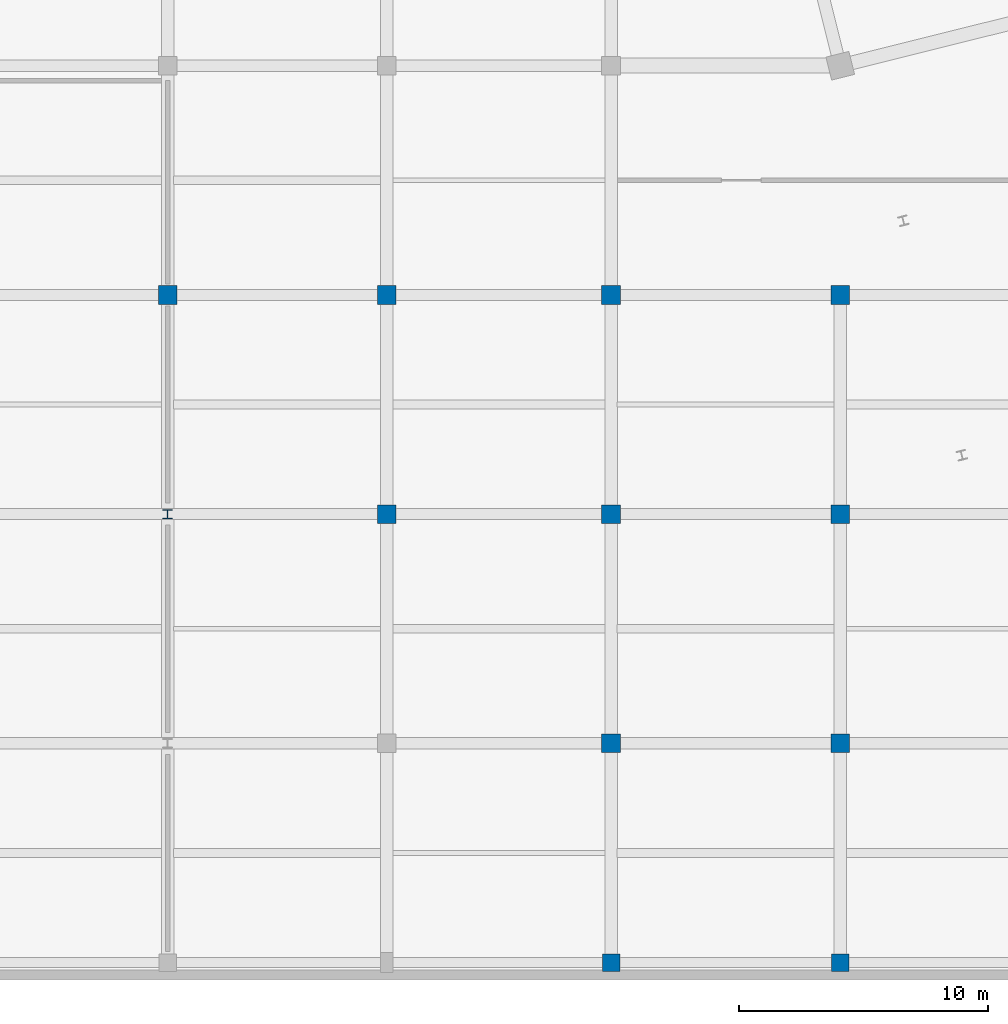
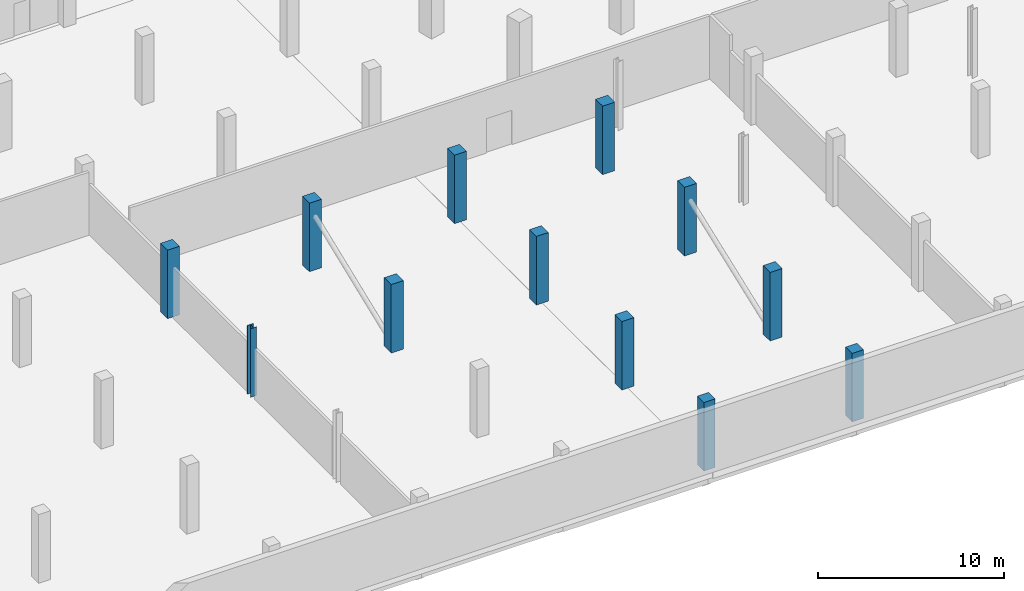
# One storey, part 2 of 31: 12 columns.
"""IFC4 building model written with IfcOpenShell, lengths in metres."""

import ifcopenshell
import ifcopenshell.guid

model = None  # the IFC model being written
_history = None  # IfcOwnerHistory: only IFC2X3 demands one
_inside = {}  # id of a spatial element -> (the spatial element, [elements in it])
_under = {}  # id of a project, library or spatial element -> (it, [spatial elements below it])
_declared = {}  # id of a project -> (the project, [libraries it declares])
_typed = {}  # id of a type object -> (the type object, [elements of that type])
_made_of = {}  # id of a material, layer set ... -> (it, [elements and type objects made of it])


def new_model(schema):
    """Start an empty IFC model of exactly this schema.

    Asked for "IFC4X3", IfcOpenShell would pick the latest addendum, in which some entities
    have other attributes; the version numbers below select the first issue.
    IFC2X3 requires an IfcOwnerHistory on every rooted entity: one is made here for all.
    """
    global model, _history
    if schema == "IFC4X3":
        model = ifcopenshell.file(schema_version=(4, 3, 0, 0))
    else:
        model = ifcopenshell.file(schema=schema)
    _inside.clear()
    _under.clear()
    _declared.clear()
    _typed.clear()
    _made_of.clear()
    _history = None
    if model.schema == "IFC2X3":
        org = make("IfcOrganization", Name="unknown")
        user = make(
            "IfcPersonAndOrganization",
            ThePerson=make("IfcPerson", FamilyName="unknown"),
            TheOrganization=org,
        )
        app = make(
            "IfcApplication",
            ApplicationDeveloper=org,
            Version="unknown",
            ApplicationFullName="unknown",
            ApplicationIdentifier="unknown",
        )
        _history = make(
            "IfcOwnerHistory",
            OwningUser=user,
            OwningApplication=app,
            ChangeAction="ADDED",
            CreationDate=0,
        )
    return model


def make(cls, **values):
    """One entity of the class cls with the attributes given. An attribute that is None is left unset."""
    return model.create_entity(
        cls, **{name: value for name, value in values.items() if value is not None}
    )


def rooted(cls, **values):
    """An entity with a GlobalId (a new one), such as an element, a storey or a relation."""
    return make(cls, GlobalId=ifcopenshell.guid.new(), OwnerHistory=_history, **values)


def si_unit(unit_type, name, prefix=None):
    """IfcSIUnit, for example si_unit("LENGTHUNIT", "METRE", prefix="MILLI")."""
    return make("IfcSIUnit", UnitType=unit_type, Prefix=prefix, Name=name)


def assignment(units):
    """IfcUnitAssignment: the units of a project."""
    return None if units is None else make("IfcUnitAssignment", Units=units)


def point(xyz):
    """IfcCartesianPoint."""
    return None if xyz is None else make("IfcCartesianPoint", Coordinates=xyz)


def direction(xyz):
    """IfcDirection."""
    return None if xyz is None else make("IfcDirection", DirectionRatios=xyz)


def frame(location, z_axis=None, x_axis=None):
    """IfcAxis2Placement3D, a coordinate frame: its origin and axes. An axis left out is left unset."""
    return make(
        "IfcAxis2Placement3D",
        Location=point(location),
        Axis=direction(z_axis),
        RefDirection=direction(x_axis),
    )


def frame_2d(location, x_axis=None):
    """IfcAxis2Placement2D, a coordinate frame in the plane: its origin and x axis."""
    return make(
        "IfcAxis2Placement2D", Location=point(location), RefDirection=direction(x_axis)
    )


def origin():
    """The frame at (0, 0, 0) with its axes left unset."""
    return frame((0.0, 0.0, 0.0))


def origin_2d():
    """The frame at (0, 0) in the plane with its x axis left unset."""
    return frame_2d((0.0, 0.0))


def place(relative_to, where):
    """IfcLocalPlacement: puts the frame where relative to a parent placement (None: the world)."""
    return make(
        "IfcLocalPlacement", PlacementRelTo=relative_to, RelativePlacement=where
    )


def context(
    kind, dimensions, precision=None, world=None, true_north=None, identifier=None
):
    """IfcGeometricRepresentationContext, for example the 3D "Model" context."""
    return make(
        "IfcGeometricRepresentationContext",
        ContextIdentifier=identifier,
        ContextType=kind,
        CoordinateSpaceDimension=dimensions,
        Precision=precision,
        WorldCoordinateSystem=world,
        TrueNorth=true_north,
    )


def subcontext(parent, identifier, kind, view, scale=None):
    """IfcGeometricRepresentationSubContext, for example "Body" below "Model"."""
    return make(
        "IfcGeometricRepresentationSubContext",
        ContextIdentifier=identifier,
        ContextType=kind,
        ParentContext=parent,
        TargetScale=scale,
        TargetView=view,
    )


def project(units=None, contexts=None):
    """IfcProject with its units and contexts."""
    return rooted(
        "IfcProject",
        Name="project",
        RepresentationContexts=contexts,
        UnitsInContext=assignment(units),
    )


def spatial(cls, under=None, at=None, **own):
    """A site, building, storey or space (cls), placed at a placement, below another one or the project."""
    s = rooted(cls, ObjectPlacement=at, **own)
    if under is not None:
        _under.setdefault(under.id(), (under, []))[1].append(s)
    return s


def profile(cls, at=None, kind="AREA", **sizes):
    """A parametric profile (cls). Its sizes go by their IFC names, for example OverallWidth=200.0."""
    return make(cls, ProfileType=kind, Position=at, **sizes)


def rectangle(**sizes):
    """IfcRectangleProfileDef."""
    return profile("IfcRectangleProfileDef", **sizes)


def i_section(**sizes):
    """IfcIShapeProfileDef."""
    return profile("IfcIShapeProfileDef", **sizes)


def extrude(swept, where, along, depth):
    """IfcExtrudedAreaSolid: the profile swept, set in the frame where, extruded along a direction by depth."""
    return make(
        "IfcExtrudedAreaSolid",
        SweptArea=swept,
        Position=where,
        ExtrudedDirection=direction(along),
        Depth=depth,
    )


def shape(context_of_items, identifier, shape_type, items):
    """IfcShapeRepresentation: the items that make up one representation, for example the "Body"."""
    return make(
        "IfcShapeRepresentation",
        ContextOfItems=context_of_items,
        RepresentationIdentifier=identifier,
        RepresentationType=shape_type,
        Items=items,
    )


def material(Name=None, Category=None):
    """IfcMaterial."""
    return make("IfcMaterial", Name=Name, Category=Category)


def material_profile(
    of_material, cross_section, Name=None, Category=None, Priority=None
):
    """IfcMaterialProfile: a cross section and its material."""
    return make(
        "IfcMaterialProfile",
        Name=Name,
        Material=of_material,
        Profile=cross_section,
        Priority=Priority,
        Category=Category,
    )


def profile_set(profiles, Name=None, composite=None):
    """IfcMaterialProfileSet."""
    return make(
        "IfcMaterialProfileSet",
        Name=Name,
        MaterialProfiles=profiles,
        CompositeProfile=composite,
    )


def made_of(thing, what):
    """Note that an element or type object is made of a material, layer set ...; save() writes the relation."""
    if what is not None:
        _made_of.setdefault(what.id(), (what, []))[1].append(thing)
    return thing


def type_object(cls, material=None, **own):
    """A type object (cls), such as IfcWallType, which elements share."""
    return made_of(rooted(cls, **own), material)


def element(
    cls,
    number,
    at=None,
    inside=None,
    cuts=None,
    type_object=None,
    material=None,
    context=None,
    identifier="Body",
    shape_type=None,
    held_by="IfcProductDefinitionShape",
    body=None,
    shapes=None,
    **own,
):
    """One element of the class cls, such as IfcWall. Its Tag is "e" and its number.

    at: its placement. inside: the storey or other place that contains it. cuts: it is an
    opening in that element (IfcRelVoidsElement). A single representation is given by context,
    identifier, shape_type and body (its items); several are given by shapes. held_by: the class
    of the entity that holds the representations. save() writes the other relations.
    """
    e = rooted(cls, Tag="e%d" % number, ObjectPlacement=at, **own)
    if body is not None:
        shapes = [shape(context, identifier, shape_type, body)]
    if shapes is not None:
        e.Representation = make(held_by, Representations=shapes)
    if inside is not None:
        _inside.setdefault(inside.id(), (inside, []))[1].append(e)
    if cuts is not None:
        rooted(
            "IfcRelVoidsElement", RelatingBuildingElement=cuts, RelatedOpeningElement=e
        )
    if type_object is not None:
        _typed.setdefault(type_object.id(), (type_object, []))[1].append(e)
    return made_of(e, material)


def aggregate(whole, parts):
    """IfcRelAggregates: a whole, such as a stair, and the parts it consists of."""
    return rooted("IfcRelAggregates", RelatingObject=whole, RelatedObjects=parts)


def save(model, path):
    """Write the relations noted so far, then the file.

    IfcRelAggregates (storeys below a building ...), IfcRelContainedInSpatialStructure (elements
    in a storey), IfcRelDefinesByType, IfcRelAssociatesMaterial and IfcRelDeclares: one each for
    every whole, place, type object, material and project.
    """
    for whole, parts in _under.values():
        aggregate(whole, parts)
    for where, things in _inside.values():
        rooted(
            "IfcRelContainedInSpatialStructure",
            RelatedElements=things,
            RelatingStructure=where,
        )
    for kind, things in _typed.values():
        rooted("IfcRelDefinesByType", RelatedObjects=things, RelatingType=kind)
    for what, things in _made_of.values():
        rooted("IfcRelAssociatesMaterial", RelatedObjects=things, RelatingMaterial=what)
    for by, libraries in _declared.values():
        rooted("IfcRelDeclares", RelatingContext=by, RelatedDefinitions=libraries)
    model.write(path)


model = new_model("IFC4")

# Units and contexts
model_context = context("Model", 3, precision=1e-05, world=origin(), true_north=direction((0.0, 1.0)))
body_context = subcontext(model_context, "Body", "Model", "MODEL_VIEW")
ifc_project = project(units=[si_unit("LENGTHUNIT", "METRE"), si_unit("AREAUNIT", "SQUARE_METRE"), si_unit("VOLUMEUNIT", "CUBIC_METRE"), si_unit("PLANEANGLEUNIT", "RADIAN"), si_unit("MASSUNIT", "GRAM", prefix="KILO")], contexts=[model_context])

# Site, building, storey
site_placement = place(None, origin())
site = spatial("IfcSite", under=ifc_project, at=site_placement, CompositionType="ELEMENT")
building_placement = place(site_placement, origin())
building = spatial("IfcBuilding", under=site, at=building_placement, Name="Meriwether Solvik Hall", CompositionType="ELEMENT")
storey_placement = place(building_placement, frame((0.0, 0.0, -4.5)))
storey = spatial("IfcBuildingStorey", under=building, at=storey_placement, Name="B01", CompositionType="ELEMENT", Elevation=-4.5)

# Columns
ifc_material_1 = material(Name="Concrete C40/50", Category="concrete")
ifc_material_profile_1 = material_profile(ifc_material_1, rectangle(XDim=0.699951171875, YDim=0.699951171875, at=origin_2d()), Name="RCC-700X700")
ifc_profile_set_1 = profile_set([ifc_material_profile_1], Name="Concrete C40/50")
column_type_1 = type_object("IfcColumnType", Name="COL-RC-700", PredefinedType="COLUMN", material=ifc_profile_set_1)
for number, where, z_axis, x_axis, name in (
    (1, (59.39990234375, 5.199951171875, 0.0), (0.0, 0.0, 1.0), (1.0, 0.0, 0.0), "Podium Column 7/A (B01)"),
    (2, (68.60009765625, 5.199951171875, 0.0), (0.0, 0.0, 1.0), (1.0, 0.0, 0.0), "Podium Column 8/A (B01)"),
):
    element("IfcColumn", number, at=place(storey_placement, frame(where, z_axis=z_axis, x_axis=x_axis)), inside=storey, type_object=column_type_1, Name=name, PredefinedType="COLUMN", context=body_context, shape_type="SweptSolid", body=[
        extrude(rectangle(XDim=0.699951171875, YDim=0.699951171875, at=origin_2d()), origin(), (0.0, 0.0, 1.0), 4.5),
    ])
ifc_material_2 = material(Name="Concrete C40/50", Category="concrete")
ifc_material_profile_2 = material_profile(ifc_material_2, rectangle(XDim=0.75, YDim=0.75, at=origin_2d()), Name="RCC-750X750")
ifc_profile_set_2 = profile_set([ifc_material_profile_2], Name="Concrete C40/50")
column_type_2 = type_object("IfcColumnType", Name="COL-RC-750", PredefinedType="COLUMN", material=ifc_profile_set_2)
for number, where, z_axis, x_axis, name in (
    (3, (41.60009765625, 32.0, 0.0), (0.0, 0.0, 1.0), (1.0, 0.0, 0.0), "Podium Column 5/D (B01)"),
    (4, (50.39990234375, 23.199951171875, 0.0), (0.0, 0.0, 1.0), (1.0, 0.0, 0.0), "Podium Column 6/C (B01)"),
    (5, (50.39990234375, 32.0, 0.0), (0.0, 0.0, 1.0), (1.0, 0.0, 0.0), "Podium Column 6/D (B01)"),
    (6, (59.39990234375, 14.0, 0.0), (0.0, 0.0, 1.0), (1.0, 0.0, 0.0), "Podium Column 7/B (B01)"),
    (7, (59.39990234375, 23.199951171875, 0.0), (0.0, 0.0, 1.0), (1.0, 0.0, 0.0), "Podium Column 7/C (B01)"),
    (8, (59.39990234375, 32.0, 0.0), (0.0, 0.0, 1.0), (1.0, 0.0, 0.0), "Podium Column 7/D (B01)"),
    (9, (68.60009765625, 14.0, 0.0), (0.0, 0.0, 1.0), (1.0, 0.0, 0.0), "Podium Column 8/B (B01)"),
    (10, (68.60009765625, 23.199951171875, 0.0), (0.0, 0.0, 1.0), (1.0, 0.0, 0.0), "Podium Column 8/C (B01)"),
    (11, (68.60009765625, 32.0, 0.0), (0.0, 0.0, 1.0), (1.0, 0.0, 0.0), "Podium Column 8/D (B01)"),
):
    element("IfcColumn", number, at=place(storey_placement, frame(where, z_axis=z_axis, x_axis=x_axis)), inside=storey, type_object=column_type_2, Name=name, PredefinedType="COLUMN", context=body_context, shape_type="SweptSolid", body=[
        extrude(rectangle(XDim=0.75, YDim=0.75, at=origin_2d()), origin(), (0.0, 0.0, 1.0), 4.5),
    ])
ifc_material_3 = material(Name="Steel A992 Grade 50", Category="steel")
ifc_material_profile_3 = material_profile(ifc_material_3, i_section(OverallWidth=0.3740234375, OverallDepth=0.3720703125, WebThickness=0.016357421875, FlangeThickness=0.026123046875, at=origin_2d()), Name="W14X132")
ifc_profile_set_3 = profile_set([ifc_material_profile_3], Name="Steel A992 Grade 50")
column_type_3 = type_object("IfcColumnType", Name="COL-STL-W14X132", PredefinedType="COLUMN", material=ifc_profile_set_3)
column_placement = place(storey_placement, frame((41.60009765625, 23.199951171875, 0.0), z_axis=(0.0, 0.0, 1.0), x_axis=(1.0, 0.0, 0.0)))
element("IfcColumn", 12, at=column_placement, inside=storey, type_object=column_type_3, Name="Podium Column 5/C (B01)", PredefinedType="COLUMN", context=body_context, shape_type="SweptSolid", body=[
    extrude(i_section(OverallWidth=0.3740234375, OverallDepth=0.3720703125, WebThickness=0.016357421875, FlangeThickness=0.026123046875, at=origin_2d()), origin(), (0.0, 0.0, 1.0), 4.5),
])

save(model, "model.ifc")
